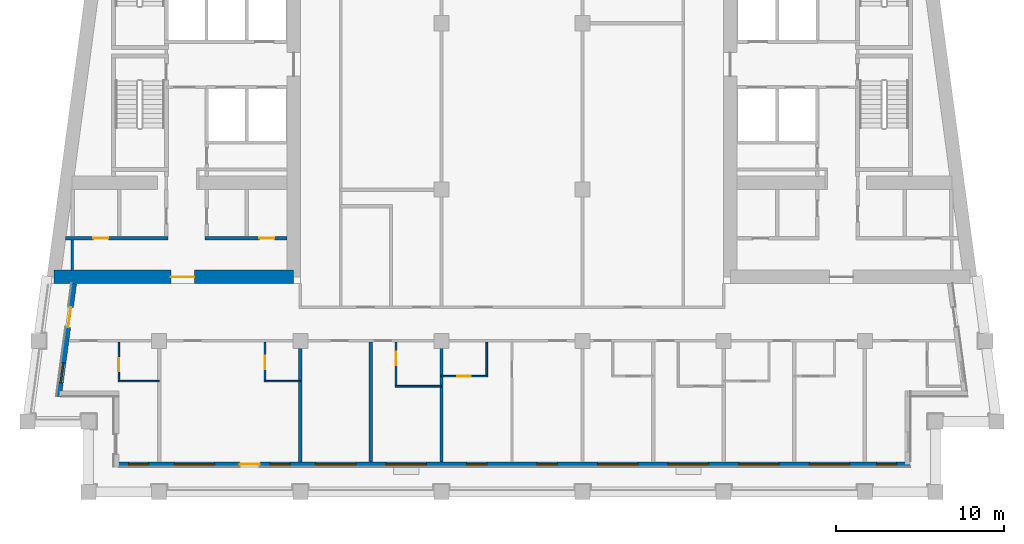
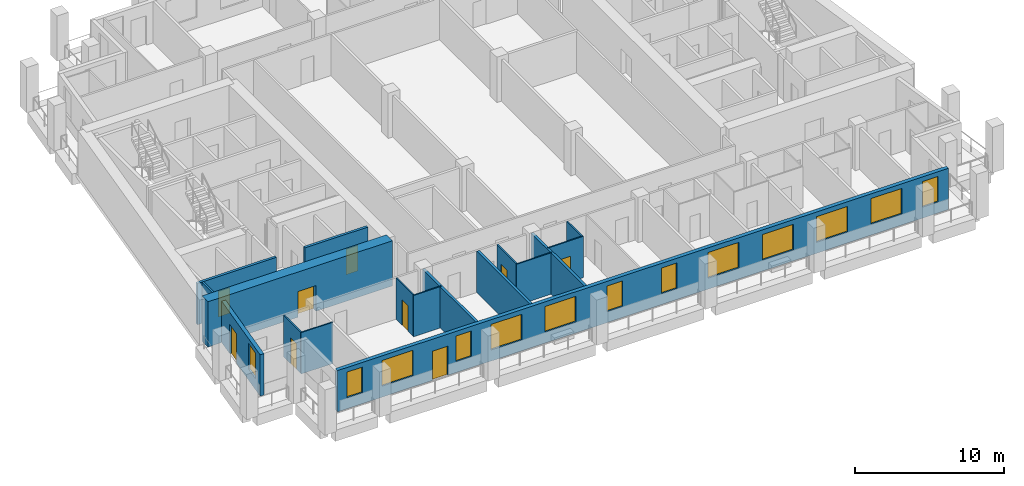
# One storey, part 2 of 12: 17 walls, 13 windows, 9 doors, 22 openings.
"""IFC4 building model written with IfcOpenShell, lengths in metres."""

from ifc_helpers import new_model, si_unit, direction, frame, frame_2d, origin, place, context, subcontext, project, spatial, rectangle, extrude, material, layer, layer_set, type_object, element, fill, save


model = new_model("IFC4")

# Units and contexts
model_context = context("Model", 3, precision=1e-05, world=origin(), true_north=direction((0.0, 1.0)))
body_context = subcontext(model_context, "Body", "Model", "MODEL_VIEW")
ifc_project = project(units=[si_unit("LENGTHUNIT", "METRE"), si_unit("AREAUNIT", "SQUARE_METRE"), si_unit("VOLUMEUNIT", "CUBIC_METRE"), si_unit("PLANEANGLEUNIT", "RADIAN"), si_unit("MASSUNIT", "GRAM", prefix="KILO")], contexts=[model_context])

# Site, building, storey
site_placement = place(None, origin())
site = spatial("IfcSite", under=ifc_project, at=site_placement, CompositionType="ELEMENT")
building_placement = place(site_placement, origin())
building = spatial("IfcBuilding", under=site, at=building_placement, Name="Candeia Pilgrim Tower and Theatre", CompositionType="ELEMENT")
storey_placement = place(building_placement, frame((0.0, 0.0, 228.10009765625)))
storey = spatial("IfcBuildingStorey", under=building, at=storey_placement, Name="L55", CompositionType="ELEMENT", Elevation=228.10009765625)

# Wall, opening, door
ifc_material_1 = material(Name="Concrete C50/60", Category="concrete")
ifc_layer_1 = layer(ifc_material_1, 0.800048828125)
ifc_layer_set_1 = layer_set([ifc_layer_1], Name="Core wall 800 C50/60")
wall_type_1 = type_object("IfcWallType", Name="Core wall 800 C50/60", PredefinedType="SHEAR", material=ifc_layer_set_1)
wall_1_placement = place(storey_placement, frame((100.39990234375, 110.800048828125, 0.0), z_axis=(0.0, 0.0, 1.0), x_axis=(-1.0, 0.0, 0.0)))
wall_1 = element("IfcWall", 1, at=wall_1_placement, inside=storey, type_object=wall_type_1, Name="Core wall W3", PredefinedType="SHEAR", context=body_context, shape_type="SweptSolid", body=[
    extrude(rectangle(XDim=14.273193359375, YDim=0.800048828125, at=frame_2d((7.13671875, 0.0))), origin(), (0.0, 0.0, 1.0), 3.699951171875),
])
opening_1_placement = place(wall_1_placement, frame((5.907958984375, 0.0, 0.0)))
opening_1 = element("IfcOpeningElement", 2, at=opening_1_placement, cuts=wall_1, Name="Opening L55-D054", PredefinedType="OPENING", context=body_context, shape_type="SweptSolid", body=[
    extrude(rectangle(XDim=1.39990234375, YDim=2.10009765625, at=frame_2d((0.699951171875, 1.050048828125))), frame((0.0, 0.41015625, 0.0), z_axis=(0.0, -1.0, 0.0), x_axis=(1.0, 0.0, 0.0)), (0.0, 0.0, 1.0), 0.820068359375),
])
ifc_material_2 = material(Name="Steel fire door set", Category="steel")
door_type_1 = type_object("IfcDoorType", Name="D-1400-FD60", OperationType="NOTDEFINED", PredefinedType="DOOR", material=ifc_material_2)
door_1_placement = place(opening_1_placement, origin())
door_1 = element("IfcDoor", 3, at=door_1_placement, inside=storey, type_object=door_type_1, Name="Door L55-D054", OperationType="SINGLE_SWING_LEFT", OverallHeight=2.10009765625, OverallWidth=1.39990234375, PredefinedType="DOOR", context=body_context, shape_type="SweptSolid", body=[
    extrude(rectangle(XDim=1.39990234375, YDim=2.10009765625, at=frame_2d((0.699951171875, 1.050048828125))), frame((0.0, 0.02490234375, 0.0), z_axis=(0.0, -1.0, 0.0), x_axis=(1.0, 0.0, 0.0)), (0.0, 0.0, 1.0), 0.050048828125),
])
fill(opening_1, door_1)

# Wall, openings, door, windows
ifc_material_3 = material(Name="Ceramic block masonry", Category="masonry")
ifc_layer_2 = layer(ifc_material_3, 0.300048828125)
ifc_layer_set_2 = layer_set([ifc_layer_2], Name="EW1 glazing-line wall 300")
wall_type_2 = type_object("IfcWallType", Name="EW1 glazing-line wall 300", PredefinedType="SOLIDWALL", material=ifc_layer_set_2)
wall_2_placement = place(storey_placement, frame((89.85009765625, 99.64990234375, 0.0), z_axis=(0.0, 0.0, 1.0), x_axis=(1.0, 0.0, 0.0)))
wall_2 = element("IfcWall", 4, at=wall_2_placement, inside=storey, type_object=wall_type_2, Name="External wall L55-0.0", PredefinedType="SOLIDWALL", context=body_context, shape_type="SweptSolid", body=[
    extrude(rectangle(XDim=47.25, YDim=0.300048828125, at=frame_2d((23.625, 0.0))), origin(), (0.0, 0.0, 1.0), 3.3798828125),
])
opening_2_placement = place(wall_2_placement, frame((0.72509765625, 0.0, 0.89990234375)))
opening_2 = element("IfcOpeningElement", 5, at=opening_2_placement, cuts=wall_2, Name="Opening W-B", PredefinedType="OPENING", context=body_context, shape_type="SweptSolid", body=[
    extrude(rectangle(XDim=1.199951171875, YDim=2.10009765625, at=frame_2d((0.60009765625, 1.050048828125))), frame((0.0, 0.16015625, 0.0), z_axis=(0.0, -1.0, 0.0), x_axis=(1.0, 0.0, 0.0)), (0.0, 0.0, 1.0), 0.320068359375),
])
opening_3_placement = place(wall_2_placement, frame((3.449951171875, 0.0, 0.89990234375)))
opening_3 = element("IfcOpeningElement", 6, at=opening_3_placement, cuts=wall_2, Name="Opening W-A", PredefinedType="OPENING", context=body_context, shape_type="SweptSolid", body=[
    extrude(rectangle(XDim=2.39990234375, YDim=2.10009765625, at=frame_2d((1.199951171875, 1.050048828125))), frame((0.0, 0.16015625, 0.0), z_axis=(0.0, -1.0, 0.0), x_axis=(1.0, 0.0, 0.0)), (0.0, 0.0, 1.0), 0.320068359375),
])
opening_4_placement = place(wall_2_placement, frame((7.35009765625, 0.0, 0.0)))
opening_4 = element("IfcOpeningElement", 7, at=opening_4_placement, cuts=wall_2, Name="Opening L55-ED525", PredefinedType="OPENING", context=body_context, shape_type="SweptSolid", body=[
    extrude(rectangle(XDim=1.199951171875, YDim=2.39990234375, at=frame_2d((0.60009765625, 1.199951171875))), frame((0.0, 0.16015625, 0.0), z_axis=(0.0, -1.0, 0.0), x_axis=(1.0, 0.0, 0.0)), (0.0, 0.0, 1.0), 0.320068359375),
])
opening_5_placement = place(wall_2_placement, frame((9.14990234375, 0.0, 0.89990234375)))
opening_5 = element("IfcOpeningElement", 8, at=opening_5_placement, cuts=wall_2, Name="Opening W-B", PredefinedType="OPENING", context=body_context, shape_type="SweptSolid", body=[
    extrude(rectangle(XDim=1.199951171875, YDim=2.10009765625, at=frame_2d((0.60009765625, 1.050048828125))), frame((0.0, 0.16015625, 0.0), z_axis=(0.0, -1.0, 0.0), x_axis=(1.0, 0.0, 0.0)), (0.0, 0.0, 1.0), 0.320068359375),
])
opening_6_placement = place(wall_2_placement, frame((11.85009765625, 0.0, 0.89990234375)))
opening_6 = element("IfcOpeningElement", 9, at=opening_6_placement, cuts=wall_2, Name="Opening W-A", PredefinedType="OPENING", context=body_context, shape_type="SweptSolid", body=[
    extrude(rectangle(XDim=2.39990234375, YDim=2.10009765625, at=frame_2d((1.199951171875, 1.050048828125))), frame((0.0, 0.16015625, 0.0), z_axis=(0.0, -1.0, 0.0), x_axis=(1.0, 0.0, 0.0)), (0.0, 0.0, 1.0), 0.320068359375),
])
opening_7_placement = place(wall_2_placement, frame((16.050048828125, 0.0, 0.89990234375)))
opening_7 = element("IfcOpeningElement", 10, at=opening_7_placement, cuts=wall_2, Name="Opening W-A", PredefinedType="OPENING", context=body_context, shape_type="SweptSolid", body=[
    extrude(rectangle(XDim=2.39990234375, YDim=2.10009765625, at=frame_2d((1.199951171875, 1.050048828125))), frame((0.0, 0.16015625, 0.0), z_axis=(0.0, -1.0, 0.0), x_axis=(1.0, 0.0, 0.0)), (0.0, 0.0, 1.0), 0.320068359375),
])
opening_8_placement = place(wall_2_placement, frame((20.85009765625, 0.0, 0.89990234375)))
opening_8 = element("IfcOpeningElement", 11, at=opening_8_placement, cuts=wall_2, Name="Opening W-B", PredefinedType="OPENING", context=body_context, shape_type="SweptSolid", body=[
    extrude(rectangle(XDim=1.199951171875, YDim=2.10009765625, at=frame_2d((0.60009765625, 1.050048828125))), frame((0.0, 0.16015625, 0.0), z_axis=(0.0, -1.0, 0.0), x_axis=(1.0, 0.0, 0.0)), (0.0, 0.0, 1.0), 0.320068359375),
])
opening_9_placement = place(wall_2_placement, frame((25.050048828125, 0.0, 0.89990234375)))
opening_9 = element("IfcOpeningElement", 12, at=opening_9_placement, cuts=wall_2, Name="Opening W-B", PredefinedType="OPENING", context=body_context, shape_type="SweptSolid", body=[
    extrude(rectangle(XDim=1.199951171875, YDim=2.10009765625, at=frame_2d((0.60009765625, 1.050048828125))), frame((0.0, 0.16015625, 0.0), z_axis=(0.0, -1.0, 0.0), x_axis=(1.0, 0.0, 0.0)), (0.0, 0.0, 1.0), 0.320068359375),
])
opening_10_placement = place(wall_2_placement, frame((28.64990234375, 0.0, 0.89990234375)))
opening_10 = element("IfcOpeningElement", 13, at=opening_10_placement, cuts=wall_2, Name="Opening W-A", PredefinedType="OPENING", context=body_context, shape_type="SweptSolid", body=[
    extrude(rectangle(XDim=2.39990234375, YDim=2.10009765625, at=frame_2d((1.199951171875, 1.050048828125))), frame((0.0, 0.16015625, 0.0), z_axis=(0.0, -1.0, 0.0), x_axis=(1.0, 0.0, 0.0)), (0.0, 0.0, 1.0), 0.320068359375),
])
opening_11_placement = place(wall_2_placement, frame((32.85009765625, 0.0, 0.89990234375)))
opening_11 = element("IfcOpeningElement", 14, at=opening_11_placement, cuts=wall_2, Name="Opening W-A", PredefinedType="OPENING", context=body_context, shape_type="SweptSolid", body=[
    extrude(rectangle(XDim=2.39990234375, YDim=2.10009765625, at=frame_2d((1.199951171875, 1.050048828125))), frame((0.0, 0.16015625, 0.0), z_axis=(0.0, -1.0, 0.0), x_axis=(1.0, 0.0, 0.0)), (0.0, 0.0, 1.0), 0.320068359375),
])
opening_12_placement = place(wall_2_placement, frame((37.050048828125, 0.0, 0.89990234375)))
opening_12 = element("IfcOpeningElement", 15, at=opening_12_placement, cuts=wall_2, Name="Opening W-A", PredefinedType="OPENING", context=body_context, shape_type="SweptSolid", body=[
    extrude(rectangle(XDim=2.39990234375, YDim=2.10009765625, at=frame_2d((1.199951171875, 1.050048828125))), frame((0.0, 0.16015625, 0.0), z_axis=(0.0, -1.0, 0.0), x_axis=(1.0, 0.0, 0.0)), (0.0, 0.0, 1.0), 0.320068359375),
])
opening_13_placement = place(wall_2_placement, frame((41.25, 0.0, 0.89990234375)))
opening_13 = element("IfcOpeningElement", 16, at=opening_13_placement, cuts=wall_2, Name="Opening W-A", PredefinedType="OPENING", context=body_context, shape_type="SweptSolid", body=[
    extrude(rectangle(XDim=2.39990234375, YDim=2.10009765625, at=frame_2d((1.199951171875, 1.050048828125))), frame((0.0, 0.16015625, 0.0), z_axis=(0.0, -1.0, 0.0), x_axis=(1.0, 0.0, 0.0)), (0.0, 0.0, 1.0), 0.320068359375),
])
opening_14_placement = place(wall_2_placement, frame((45.25, 0.0, 0.89990234375)))
opening_14 = element("IfcOpeningElement", 17, at=opening_14_placement, cuts=wall_2, Name="Opening W-B", PredefinedType="OPENING", context=body_context, shape_type="SweptSolid", body=[
    extrude(rectangle(XDim=1.199951171875, YDim=2.10009765625, at=frame_2d((0.60009765625, 1.050048828125))), frame((0.0, 0.16015625, 0.0), z_axis=(0.0, -1.0, 0.0), x_axis=(1.0, 0.0, 0.0)), (0.0, 0.0, 1.0), 0.320068359375),
])
ifc_material_4 = material(Name="Aluminium framed glazed door", Category="aluminium")
door_type_2 = type_object("IfcDoorType", Name="Loggia door 1200x2400", OperationType="DOUBLE_DOOR_SINGLE_SWING", PredefinedType="DOOR", material=ifc_material_4)
door_2_placement = place(opening_4_placement, origin())
door_2 = element("IfcDoor", 18, at=door_2_placement, inside=storey, type_object=door_type_2, Name="Loggia door L55-ED525", OperationType="DOUBLE_DOOR_SINGLE_SWING", OverallHeight=2.39990234375, OverallWidth=1.199951171875, PredefinedType="DOOR", context=body_context, shape_type="SweptSolid", body=[
    extrude(rectangle(XDim=1.199951171875, YDim=2.39990234375, at=frame_2d((0.60009765625, 1.199951171875))), frame((0.0, 0.02490234375, 0.0), z_axis=(0.0, -1.0, 0.0), x_axis=(1.0, 0.0, 0.0)), (0.0, 0.0, 1.0), 0.050048828125),
])
fill(opening_4, door_2)
ifc_material_5 = material(Name="Aluminium framed double glazing", Category="aluminium")
window_type_1 = type_object("IfcWindowType", Name="W-A window 2400x2100", PartitioningType="DOUBLE_PANEL_VERTICAL", PredefinedType="WINDOW", material=ifc_material_5)
window_1_placement = place(opening_3_placement, origin())
window_1 = element("IfcWindow", 19, at=window_1_placement, inside=storey, type_object=window_type_1, Name="Window W-A L55", OverallHeight=2.10009765625, OverallWidth=2.39990234375, PartitioningType="SINGLE_PANEL", PredefinedType="WINDOW", context=body_context, shape_type="SweptSolid", body=[
    extrude(rectangle(XDim=2.39990234375, YDim=2.10009765625, at=frame_2d((1.199951171875, 1.050048828125))), frame((0.0, 0.030029296875, 0.0), z_axis=(0.0, -1.0, 0.0), x_axis=(1.0, 0.0, 0.0)), (0.0, 0.0, 1.0), 0.06005859375),
])
fill(opening_3, window_1)
window_2_placement = place(opening_6_placement, origin())
window_2 = element("IfcWindow", 20, at=window_2_placement, inside=storey, type_object=window_type_1, Name="Window W-A L55", OverallHeight=2.10009765625, OverallWidth=2.39990234375, PartitioningType="SINGLE_PANEL", PredefinedType="WINDOW", context=body_context, shape_type="SweptSolid", body=[
    extrude(rectangle(XDim=2.39990234375, YDim=2.10009765625, at=frame_2d((1.199951171875, 1.050048828125))), frame((0.0, 0.030029296875, 0.0), z_axis=(0.0, -1.0, 0.0), x_axis=(1.0, 0.0, 0.0)), (0.0, 0.0, 1.0), 0.06005859375),
])
fill(opening_6, window_2)
window_3_placement = place(opening_7_placement, origin())
window_3 = element("IfcWindow", 21, at=window_3_placement, inside=storey, type_object=window_type_1, Name="Window W-A L55", OverallHeight=2.10009765625, OverallWidth=2.39990234375, PartitioningType="SINGLE_PANEL", PredefinedType="WINDOW", context=body_context, shape_type="SweptSolid", body=[
    extrude(rectangle(XDim=2.39990234375, YDim=2.10009765625, at=frame_2d((1.199951171875, 1.050048828125))), frame((0.0, 0.030029296875, 0.0), z_axis=(0.0, -1.0, 0.0), x_axis=(1.0, 0.0, 0.0)), (0.0, 0.0, 1.0), 0.06005859375),
])
fill(opening_7, window_3)
window_4_placement = place(opening_10_placement, origin())
window_4 = element("IfcWindow", 22, at=window_4_placement, inside=storey, type_object=window_type_1, Name="Window W-A L55", OverallHeight=2.10009765625, OverallWidth=2.39990234375, PartitioningType="SINGLE_PANEL", PredefinedType="WINDOW", context=body_context, shape_type="SweptSolid", body=[
    extrude(rectangle(XDim=2.39990234375, YDim=2.10009765625, at=frame_2d((1.199951171875, 1.050048828125))), frame((0.0, 0.030029296875, 0.0), z_axis=(0.0, -1.0, 0.0), x_axis=(1.0, 0.0, 0.0)), (0.0, 0.0, 1.0), 0.06005859375),
])
fill(opening_10, window_4)
window_5_placement = place(opening_11_placement, origin())
window_5 = element("IfcWindow", 23, at=window_5_placement, inside=storey, type_object=window_type_1, Name="Window W-A L55", OverallHeight=2.10009765625, OverallWidth=2.39990234375, PartitioningType="SINGLE_PANEL", PredefinedType="WINDOW", context=body_context, shape_type="SweptSolid", body=[
    extrude(rectangle(XDim=2.39990234375, YDim=2.10009765625, at=frame_2d((1.199951171875, 1.050048828125))), frame((0.0, 0.030029296875, 0.0), z_axis=(0.0, -1.0, 0.0), x_axis=(1.0, 0.0, 0.0)), (0.0, 0.0, 1.0), 0.06005859375),
])
fill(opening_11, window_5)
window_6_placement = place(opening_12_placement, origin())
window_6 = element("IfcWindow", 24, at=window_6_placement, inside=storey, type_object=window_type_1, Name="Window W-A L55", OverallHeight=2.10009765625, OverallWidth=2.39990234375, PartitioningType="SINGLE_PANEL", PredefinedType="WINDOW", context=body_context, shape_type="SweptSolid", body=[
    extrude(rectangle(XDim=2.39990234375, YDim=2.10009765625, at=frame_2d((1.199951171875, 1.050048828125))), frame((0.0, 0.030029296875, 0.0), z_axis=(0.0, -1.0, 0.0), x_axis=(1.0, 0.0, 0.0)), (0.0, 0.0, 1.0), 0.06005859375),
])
fill(opening_12, window_6)
window_7_placement = place(opening_13_placement, origin())
window_7 = element("IfcWindow", 25, at=window_7_placement, inside=storey, type_object=window_type_1, Name="Window W-A L55", OverallHeight=2.10009765625, OverallWidth=2.39990234375, PartitioningType="SINGLE_PANEL", PredefinedType="WINDOW", context=body_context, shape_type="SweptSolid", body=[
    extrude(rectangle(XDim=2.39990234375, YDim=2.10009765625, at=frame_2d((1.199951171875, 1.050048828125))), frame((0.0, 0.030029296875, 0.0), z_axis=(0.0, -1.0, 0.0), x_axis=(1.0, 0.0, 0.0)), (0.0, 0.0, 1.0), 0.06005859375),
])
fill(opening_13, window_7)
window_type_2 = type_object("IfcWindowType", Name="W-B window 1200x2100", PartitioningType="SINGLE_PANEL", PredefinedType="WINDOW", material=ifc_material_5)
window_8_placement = place(opening_2_placement, origin())
window_8 = element("IfcWindow", 26, at=window_8_placement, inside=storey, type_object=window_type_2, Name="Window W-B L55", OverallHeight=2.10009765625, OverallWidth=1.199951171875, PartitioningType="SINGLE_PANEL", PredefinedType="WINDOW", context=body_context, shape_type="SweptSolid", body=[
    extrude(rectangle(XDim=1.199951171875, YDim=2.10009765625, at=frame_2d((0.60009765625, 1.050048828125))), frame((0.0, 0.030029296875, 0.0), z_axis=(0.0, -1.0, 0.0), x_axis=(1.0, 0.0, 0.0)), (0.0, 0.0, 1.0), 0.06005859375),
])
fill(opening_2, window_8)
window_9_placement = place(opening_5_placement, origin())
window_9 = element("IfcWindow", 27, at=window_9_placement, inside=storey, type_object=window_type_2, Name="Window W-B L55", OverallHeight=2.10009765625, OverallWidth=1.199951171875, PartitioningType="SINGLE_PANEL", PredefinedType="WINDOW", context=body_context, shape_type="SweptSolid", body=[
    extrude(rectangle(XDim=1.199951171875, YDim=2.10009765625, at=frame_2d((0.60009765625, 1.050048828125))), frame((0.0, 0.030029296875, 0.0), z_axis=(0.0, -1.0, 0.0), x_axis=(1.0, 0.0, 0.0)), (0.0, 0.0, 1.0), 0.06005859375),
])
fill(opening_5, window_9)
window_10_placement = place(opening_8_placement, origin())
window_10 = element("IfcWindow", 28, at=window_10_placement, inside=storey, type_object=window_type_2, Name="Window W-B L55", OverallHeight=2.10009765625, OverallWidth=1.199951171875, PartitioningType="SINGLE_PANEL", PredefinedType="WINDOW", context=body_context, shape_type="SweptSolid", body=[
    extrude(rectangle(XDim=1.199951171875, YDim=2.10009765625, at=frame_2d((0.60009765625, 1.050048828125))), frame((0.0, 0.030029296875, 0.0), z_axis=(0.0, -1.0, 0.0), x_axis=(1.0, 0.0, 0.0)), (0.0, 0.0, 1.0), 0.06005859375),
])
fill(opening_8, window_10)
window_11_placement = place(opening_9_placement, origin())
window_11 = element("IfcWindow", 29, at=window_11_placement, inside=storey, type_object=window_type_2, Name="Window W-B L55", OverallHeight=2.10009765625, OverallWidth=1.199951171875, PartitioningType="SINGLE_PANEL", PredefinedType="WINDOW", context=body_context, shape_type="SweptSolid", body=[
    extrude(rectangle(XDim=1.199951171875, YDim=2.10009765625, at=frame_2d((0.60009765625, 1.050048828125))), frame((0.0, 0.030029296875, 0.0), z_axis=(0.0, -1.0, 0.0), x_axis=(1.0, 0.0, 0.0)), (0.0, 0.0, 1.0), 0.06005859375),
])
fill(opening_9, window_11)
window_12_placement = place(opening_14_placement, origin())
window_12 = element("IfcWindow", 30, at=window_12_placement, inside=storey, type_object=window_type_2, Name="Window W-B L55", OverallHeight=2.10009765625, OverallWidth=1.199951171875, PartitioningType="SINGLE_PANEL", PredefinedType="WINDOW", context=body_context, shape_type="SweptSolid", body=[
    extrude(rectangle(XDim=1.199951171875, YDim=2.10009765625, at=frame_2d((0.60009765625, 1.050048828125))), frame((0.0, 0.030029296875, 0.0), z_axis=(0.0, -1.0, 0.0), x_axis=(1.0, 0.0, 0.0)), (0.0, 0.0, 1.0), 0.06005859375),
])
fill(opening_14, window_12)

# Wall, openings, door, window
wall_3_placement = place(storey_placement, frame((87.334228515625, 110.39990234375, 0.0), z_axis=(0.0, 0.0, 1.0), x_axis=(-0.133437175554, -0.991057273915, 0.0)))
wall_3 = element("IfcWall", 31, at=wall_3_placement, inside=storey, type_object=wall_type_2, Name="External wall L55-9.1", PredefinedType="SOLIDWALL", context=body_context, shape_type="SweptSolid", body=[
    extrude(rectangle(XDim=6.780517578125, YDim=0.300048828125, at=frame_2d((3.39013671875, 0.0))), origin(), (0.0, 0.0, 1.0), 3.3798828125),
])
opening_15_placement = place(wall_3_placement, frame((1.41796875, 0.0, 0.0)))
opening_15 = element("IfcOpeningElement", 32, at=opening_15_placement, cuts=wall_3, Name="Opening L55-ED533", PredefinedType="OPENING", context=body_context, shape_type="SweptSolid", body=[
    extrude(rectangle(XDim=1.199951171875, YDim=2.39990234375, at=frame_2d((0.60009765625, 1.199951171875))), frame((0.0, 0.16015625, 0.0), z_axis=(0.0, -1.0, 0.0), x_axis=(1.0, 0.0, 0.0)), (0.0, 0.0, 1.0), 0.320068359375),
])
opening_16_placement = place(wall_3_placement, frame((4.75830078125, 0.0, 0.89990234375)))
opening_16 = element("IfcOpeningElement", 33, at=opening_16_placement, cuts=wall_3, Name="Opening W-B", PredefinedType="OPENING", context=body_context, shape_type="SweptSolid", body=[
    extrude(rectangle(XDim=1.199951171875, YDim=2.10009765625, at=frame_2d((0.60009765625, 1.050048828125))), frame((0.0, 0.16015625, 0.0), z_axis=(0.0, -1.0, 0.0), x_axis=(1.0, 0.0, 0.0)), (0.0, 0.0, 1.0), 0.320068359375),
])
door_3_placement = place(opening_15_placement, origin())
door_3 = element("IfcDoor", 34, at=door_3_placement, inside=storey, type_object=door_type_2, Name="Loggia door L55-ED533", OperationType="DOUBLE_DOOR_SINGLE_SWING", OverallHeight=2.39990234375, OverallWidth=1.199951171875, PredefinedType="DOOR", context=body_context, shape_type="SweptSolid", body=[
    extrude(rectangle(XDim=1.199951171875, YDim=2.39990234375, at=frame_2d((0.60009765625, 1.199951171875))), frame((0.0, 0.02490234375, 0.0), z_axis=(0.0, -1.0, 0.0), x_axis=(1.0, 0.0, 0.0)), (0.0, 0.0, 1.0), 0.050048828125),
])
fill(opening_15, door_3)
window_13_placement = place(opening_16_placement, origin())
window_13 = element("IfcWindow", 35, at=window_13_placement, inside=storey, type_object=window_type_2, Name="Window W-B L55", OverallHeight=2.10009765625, OverallWidth=1.199951171875, PartitioningType="SINGLE_PANEL", PredefinedType="WINDOW", context=body_context, shape_type="SweptSolid", body=[
    extrude(rectangle(XDim=1.199951171875, YDim=2.10009765625, at=frame_2d((0.60009765625, 1.050048828125))), frame((0.0, 0.030029296875, 0.0), z_axis=(0.0, -1.0, 0.0), x_axis=(1.0, 0.0, 0.0)), (0.0, 0.0, 1.0), 0.06005859375),
])
fill(opening_16, window_13)

# Walls
ifc_material_6 = material(Name="Gypsum board partition on steel studs", Category="steel")
ifc_layer_3 = layer(ifc_material_6, 0.10009765625)
ifc_layer_set_3 = layer_set([ifc_layer_3], Name="PW-100 room partition")
wall_type_3 = type_object("IfcWallType", Name="PW-100 room partition", PredefinedType="PARTITIONING", material=ifc_layer_set_3)
wall_4_placement = place(storey_placement, frame((106.449951171875, 104.300048828125, 0.0), z_axis=(0.0, 0.0, 1.0), x_axis=(1.0, 0.0, 0.0)))
element("IfcWall", 36, at=wall_4_placement, inside=storey, type_object=wall_type_3, Name="Room partition L55-001", PredefinedType="PARTITIONING", context=body_context, shape_type="SweptSolid", body=[
    extrude(rectangle(XDim=2.75, YDim=0.10009765625, at=frame_2d((1.375, 0.0))), origin(), (0.0, 0.0, 1.0), 3.3798828125),
])
wall_5_placement = place(storey_placement, frame((89.949951171875, 104.60009765625, 0.0), z_axis=(0.0, 0.0, 1.0), x_axis=(1.0, 0.0, 0.0)))
element("IfcWall", 37, at=wall_5_placement, inside=storey, type_object=wall_type_3, Name="Room partition L55-004", PredefinedType="PARTITIONING", context=body_context, shape_type="SweptSolid", body=[
    extrude(rectangle(XDim=2.449951171875, YDim=0.10009765625, at=frame_2d((1.22509765625, 0.0))), origin(), (0.0, 0.0, 1.0), 3.3798828125),
])
wall_6_placement = place(storey_placement, frame((98.64990234375, 104.60009765625, 0.0), z_axis=(0.0, 0.0, 1.0), x_axis=(1.0, 0.0, 0.0)))
element("IfcWall", 38, at=wall_6_placement, inside=storey, type_object=wall_type_3, Name="Room partition L55-005", PredefinedType="PARTITIONING", context=body_context, shape_type="SweptSolid", body=[
    extrude(rectangle(XDim=2.150146484375, YDim=0.10009765625, at=frame_2d((1.0751953125, 0.0))), origin(), (0.0, 0.0, 1.0), 3.3798828125),
])

# Wall, opening, door
wall_7_placement = place(storey_placement, frame((109.199951171875, 104.89990234375, 0.0), z_axis=(0.0, 0.0, 1.0), x_axis=(1.0, 0.0, 0.0)))
wall_7 = element("IfcWall", 39, at=wall_7_placement, inside=storey, type_object=wall_type_3, Name="Room partition L55-007", PredefinedType="PARTITIONING", context=body_context, shape_type="SweptSolid", body=[
    extrude(rectangle(XDim=2.75, YDim=0.10009765625, at=frame_2d((1.375, 0.0))), origin(), (0.0, 0.0, 1.0), 3.3798828125),
])
opening_17_placement = place(wall_7_placement, frame((0.949951171875, 0.0, 0.0)))
opening_17 = element("IfcOpeningElement", 40, at=opening_17_placement, cuts=wall_7, Name="Opening L55-D026", PredefinedType="OPENING", context=body_context, shape_type="SweptSolid", body=[
    extrude(rectangle(XDim=0.800048828125, YDim=2.10009765625, at=frame_2d((0.39990234375, 1.050048828125))), frame((0.0, 0.06005859375, 0.0), z_axis=(0.0, -1.0, 0.0), x_axis=(1.0, 0.0, 0.0)), (0.0, 0.0, 1.0), 0.1201171875),
])
ifc_material_7 = material(Name="Timber door leaf", Category="wood")
door_type_3 = type_object("IfcDoorType", Name="D-800", OperationType="NOTDEFINED", PredefinedType="DOOR", material=ifc_material_7)
door_4_placement = place(opening_17_placement, origin())
door_4 = element("IfcDoor", 41, at=door_4_placement, inside=storey, type_object=door_type_3, Name="Door L55-D026", OperationType="SINGLE_SWING_LEFT", OverallHeight=2.10009765625, OverallWidth=0.800048828125, PredefinedType="DOOR", context=body_context, shape_type="SweptSolid", body=[
    extrude(rectangle(XDim=0.800048828125, YDim=2.10009765625, at=frame_2d((0.39990234375, 1.050048828125))), frame((0.0, 0.02490234375, 0.0), z_axis=(0.0, -1.0, 0.0), x_axis=(1.0, 0.0, 0.0)), (0.0, 0.0, 1.0), 0.050048828125),
])
fill(opening_17, door_4)

wall_8_placement = place(storey_placement, frame((90.0, 104.64990234375, 0.0), z_axis=(0.0, 0.0, 1.0), x_axis=(0.0, 1.0, 0.0)))
wall_8 = element("IfcWall", 42, at=wall_8_placement, inside=storey, type_object=wall_type_3, Name="Room partition L55-053", PredefinedType="PARTITIONING", context=body_context, shape_type="SweptSolid", body=[
    extrude(rectangle(XDim=2.275146484375, YDim=0.10009765625, at=frame_2d((1.1376953125, 0.0))), origin(), (0.0, 0.0, 1.0), 3.3798828125),
])
opening_18_placement = place(wall_8_placement, frame((0.52490234375, 0.0, 0.0)))
opening_18 = element("IfcOpeningElement", 43, at=opening_18_placement, cuts=wall_8, Name="Opening L55-D018", PredefinedType="OPENING", context=body_context, shape_type="SweptSolid", body=[
    extrude(rectangle(XDim=0.800048828125, YDim=2.10009765625, at=frame_2d((0.39990234375, 1.050048828125))), frame((0.0, 0.06005859375, 0.0), z_axis=(0.0, -1.0, 0.0), x_axis=(1.0, 0.0, 0.0)), (0.0, 0.0, 1.0), 0.1201171875),
])
door_5_placement = place(opening_18_placement, origin())
door_5 = element("IfcDoor", 44, at=door_5_placement, inside=storey, type_object=door_type_3, Name="Door L55-D018", OperationType="SINGLE_SWING_LEFT", OverallHeight=2.10009765625, OverallWidth=0.800048828125, PredefinedType="DOOR", context=body_context, shape_type="SweptSolid", body=[
    extrude(rectangle(XDim=0.800048828125, YDim=2.10009765625, at=frame_2d((0.39990234375, 1.050048828125))), frame((0.0, 0.02490234375, 0.0), z_axis=(0.0, -1.0, 0.0), x_axis=(1.0, 0.0, 0.0)), (0.0, 0.0, 1.0), 0.050048828125),
])
fill(opening_18, door_5)

wall_9_placement = place(storey_placement, frame((98.699951171875, 104.64990234375, 0.0), z_axis=(0.0, 0.0, 1.0), x_axis=(0.0, 1.0, 0.0)))
wall_9 = element("IfcWall", 45, at=wall_9_placement, inside=storey, type_object=wall_type_3, Name="Room partition L55-070", PredefinedType="PARTITIONING", context=body_context, shape_type="SweptSolid", body=[
    extrude(rectangle(XDim=2.275146484375, YDim=0.10009765625, at=frame_2d((1.1376953125, 0.0))), origin(), (0.0, 0.0, 1.0), 3.3798828125),
])
opening_19_placement = place(wall_9_placement, frame((0.659912109375, 0.0, 0.0)))
opening_19 = element("IfcOpeningElement", 46, at=opening_19_placement, cuts=wall_9, Name="Opening L55-D020", PredefinedType="OPENING", context=body_context, shape_type="SweptSolid", body=[
    extrude(rectangle(XDim=0.800048828125, YDim=2.10009765625, at=frame_2d((0.39990234375, 1.050048828125))), frame((0.0, 0.06005859375, 0.0), z_axis=(0.0, -1.0, 0.0), x_axis=(1.0, 0.0, 0.0)), (0.0, 0.0, 1.0), 0.1201171875),
])
door_6_placement = place(opening_19_placement, origin())
door_6 = element("IfcDoor", 47, at=door_6_placement, inside=storey, type_object=door_type_3, Name="Door L55-D020", OperationType="SINGLE_SWING_LEFT", OverallHeight=2.10009765625, OverallWidth=0.800048828125, PredefinedType="DOOR", context=body_context, shape_type="SweptSolid", body=[
    extrude(rectangle(XDim=0.800048828125, YDim=2.10009765625, at=frame_2d((0.39990234375, 1.050048828125))), frame((0.0, 0.02490234375, 0.0), z_axis=(0.0, -1.0, 0.0), x_axis=(1.0, 0.0, 0.0)), (0.0, 0.0, 1.0), 0.050048828125),
])
fill(opening_19, door_6)

wall_10_placement = place(storey_placement, frame((106.5, 104.35009765625, 0.0), z_axis=(0.0, 0.0, 1.0), x_axis=(0.0, 1.0, 0.0)))
wall_10 = element("IfcWall", 48, at=wall_10_placement, inside=storey, type_object=wall_type_3, Name="Room partition L55-078", PredefinedType="PARTITIONING", context=body_context, shape_type="SweptSolid", body=[
    extrude(rectangle(XDim=2.574951171875, YDim=0.10009765625, at=frame_2d((1.28759765625, 0.0))), origin(), (0.0, 0.0, 1.0), 3.3798828125),
])
opening_20_placement = place(wall_10_placement, frame((1.199951171875, 0.0, 0.0)))
opening_20 = element("IfcOpeningElement", 49, at=opening_20_placement, cuts=wall_10, Name="Opening L55-D023", PredefinedType="OPENING", context=body_context, shape_type="SweptSolid", body=[
    extrude(rectangle(XDim=0.800048828125, YDim=2.10009765625, at=frame_2d((0.39990234375, 1.050048828125))), frame((0.0, 0.06005859375, 0.0), z_axis=(0.0, -1.0, 0.0), x_axis=(1.0, 0.0, 0.0)), (0.0, 0.0, 1.0), 0.1201171875),
])
door_7_placement = place(opening_20_placement, origin())
door_7 = element("IfcDoor", 50, at=door_7_placement, inside=storey, type_object=door_type_3, Name="Door L55-D023", OperationType="SINGLE_SWING_RIGHT", OverallHeight=2.10009765625, OverallWidth=0.800048828125, PredefinedType="DOOR", context=body_context, shape_type="SweptSolid", body=[
    extrude(rectangle(XDim=0.800048828125, YDim=2.10009765625, at=frame_2d((0.39990234375, 1.050048828125))), frame((0.0, 0.02490234375, 0.0), z_axis=(0.0, -1.0, 0.0), x_axis=(1.0, 0.0, 0.0)), (0.0, 0.0, 1.0), 0.050048828125),
])
fill(opening_20, door_7)

# Walls
wall_11_placement = place(storey_placement, frame((111.89990234375, 104.949951171875, 0.0), z_axis=(0.0, 0.0, 1.0), x_axis=(0.0, 1.0, 0.0)))
element("IfcWall", 51, at=wall_11_placement, inside=storey, type_object=wall_type_3, Name="Room partition L55-083", PredefinedType="PARTITIONING", context=body_context, shape_type="SweptSolid", body=[
    extrude(rectangle(XDim=1.97509765625, YDim=0.10009765625, at=frame_2d((0.987548828125, 0.0))), origin(), (0.0, 0.0, 1.0), 3.3798828125),
])
ifc_layer_4 = layer(ifc_material_6, 0.14990234375)
ifc_layer_set_4 = layer_set([ifc_layer_4], Name="PW-150 lobby wall")
wall_type_4 = type_object("IfcWallType", Name="PW-150 lobby wall", PredefinedType="PARTITIONING", material=ifc_layer_set_4)
wall_12_placement = place(storey_placement, frame((87.22705078125, 111.199951171875, 0.0), z_axis=(0.0, 0.0, 1.0), x_axis=(0.0, 1.0, 0.0)))
element("IfcWall", 52, at=wall_12_placement, inside=storey, type_object=wall_type_4, Name="Lobby wall L55-050", PredefinedType="PARTITIONING", context=body_context, shape_type="SweptSolid", body=[
    extrude(rectangle(XDim=1.800048828125, YDim=0.14990234375, at=frame_2d((0.89990234375, 0.0))), origin(), (0.0, 0.0, 1.0), 3.3798828125),
])
ifc_layer_5 = layer(ifc_material_6, 0.199951171875)
ifc_layer_set_5 = layer_set([ifc_layer_5], Name="PW-200 party wall")
wall_type_5 = type_object("IfcWallType", Name="PW-200 party wall", PredefinedType="PARTITIONING", material=ifc_layer_set_5)
for number, where, z_axis, x_axis, name in (
    (53, (100.800048828125, 99.7900390625, 0.0), (0.0, 0.0, 1.0), (0.0, 1.0, 0.0), "Party wall L55-071"),
    (54, (105.0, 99.7900390625, 0.0), (0.0, 0.0, 1.0), (0.0, 1.0, 0.0), "Party wall L55-076"),
    (55, (109.199951171875, 99.7900390625, 0.0), (0.0, 0.0, 1.0), (0.0, 1.0, 0.0), "Party wall L55-080"),
):
    element("IfcWall", number, at=place(storey_placement, frame(where, z_axis=z_axis, x_axis=x_axis)), inside=storey, type_object=wall_type_5, Name=name, PredefinedType="PARTITIONING", context=body_context, shape_type="SweptSolid", body=[
        extrude(rectangle(XDim=7.135009765625, YDim=0.199951171875, at=frame_2d((3.5673828125, 0.0))), origin(), (0.0, 0.0, 1.0), 3.3798828125),
    ])

# Wall, opening, door
ifc_material_8 = material(Name="Concrete C40/50", Category="concrete")
ifc_layer_6 = layer(ifc_material_8, 0.199951171875)
ifc_layer_set_6 = layer_set([ifc_layer_6], Name="SW-200 shaft wall")
wall_type_6 = type_object("IfcWallType", Name="SW-200 shaft wall", PredefinedType="PARTITIONING", material=ifc_layer_set_6)
wall_13_placement = place(storey_placement, frame((86.809814453125, 113.10009765625, 0.0), z_axis=(0.0, 0.0, 1.0), x_axis=(1.0, 0.0, 0.0)))
wall_13 = element("IfcWall", 56, at=wall_13_placement, inside=storey, type_object=wall_type_6, Name="Shaft wall L55-012", PredefinedType="PARTITIONING", context=body_context, shape_type="SweptSolid", body=[
    extrude(rectangle(XDim=6.1171875, YDim=0.199951171875, at=frame_2d((3.05859375, 0.0))), origin(), (0.0, 0.0, 1.0), 3.3798828125),
])
opening_21_placement = place(wall_13_placement, frame((1.6669921875, 0.0, 0.0)))
opening_21 = element("IfcOpeningElement", 57, at=opening_21_placement, cuts=wall_13, Name="Opening L55-D005", PredefinedType="OPENING", context=body_context, shape_type="SweptSolid", body=[
    extrude(rectangle(XDim=0.89990234375, YDim=2.10009765625, at=frame_2d((0.449951171875, 1.050048828125))), frame((0.0, 0.10986328125, 0.0), z_axis=(0.0, -1.0, 0.0), x_axis=(1.0, 0.0, 0.0)), (0.0, 0.0, 1.0), 0.219970703125),
])
door_type_4 = type_object("IfcDoorType", Name="D-900-FD60", OperationType="NOTDEFINED", PredefinedType="DOOR", material=ifc_material_2)
door_8_placement = place(opening_21_placement, origin())
door_8 = element("IfcDoor", 58, at=door_8_placement, inside=storey, type_object=door_type_4, Name="Door L55-D005", OperationType="SINGLE_SWING_RIGHT", OverallHeight=2.10009765625, OverallWidth=0.89990234375, PredefinedType="DOOR", context=body_context, shape_type="SweptSolid", body=[
    extrude(rectangle(XDim=0.89990234375, YDim=2.10009765625, at=frame_2d((0.449951171875, 1.050048828125))), frame((0.0, 0.02490234375, 0.0), z_axis=(0.0, -1.0, 0.0), x_axis=(1.0, 0.0, 0.0)), (0.0, 0.0, 1.0), 0.050048828125),
])
fill(opening_21, door_8)

wall_14_placement = place(storey_placement, frame((95.126953125, 113.10009765625, 0.0), z_axis=(0.0, 0.0, 1.0), x_axis=(1.0, 0.0, 0.0)))
wall_14 = element("IfcWall", 59, at=wall_14_placement, inside=storey, type_object=wall_type_6, Name="Shaft wall L55-013", PredefinedType="PARTITIONING", context=body_context, shape_type="SweptSolid", body=[
    extrude(rectangle(XDim=4.873046875, YDim=0.199951171875, at=frame_2d((2.4365234375, 0.0))), origin(), (0.0, 0.0, 1.0), 3.3798828125),
])
opening_22_placement = place(wall_14_placement, frame((3.22998046875, 0.0, 0.0)))
opening_22 = element("IfcOpeningElement", 60, at=opening_22_placement, cuts=wall_14, Name="Opening L55-D008", PredefinedType="OPENING", context=body_context, shape_type="SweptSolid", body=[
    extrude(rectangle(XDim=0.89990234375, YDim=2.10009765625, at=frame_2d((0.449951171875, 1.050048828125))), frame((0.0, 0.10986328125, 0.0), z_axis=(0.0, -1.0, 0.0), x_axis=(1.0, 0.0, 0.0)), (0.0, 0.0, 1.0), 0.219970703125),
])
door_9_placement = place(opening_22_placement, origin())
door_9 = element("IfcDoor", 61, at=door_9_placement, inside=storey, type_object=door_type_4, Name="Door L55-D008", OperationType="SINGLE_SWING_LEFT", OverallHeight=2.10009765625, OverallWidth=0.89990234375, PredefinedType="DOOR", context=body_context, shape_type="SweptSolid", body=[
    extrude(rectangle(XDim=0.89990234375, YDim=2.10009765625, at=frame_2d((0.449951171875, 1.050048828125))), frame((0.0, 0.02490234375, 0.0), z_axis=(0.0, -1.0, 0.0), x_axis=(1.0, 0.0, 0.0)), (0.0, 0.0, 1.0), 0.050048828125),
])
fill(opening_22, door_9)

save(model, "model.ifc")
